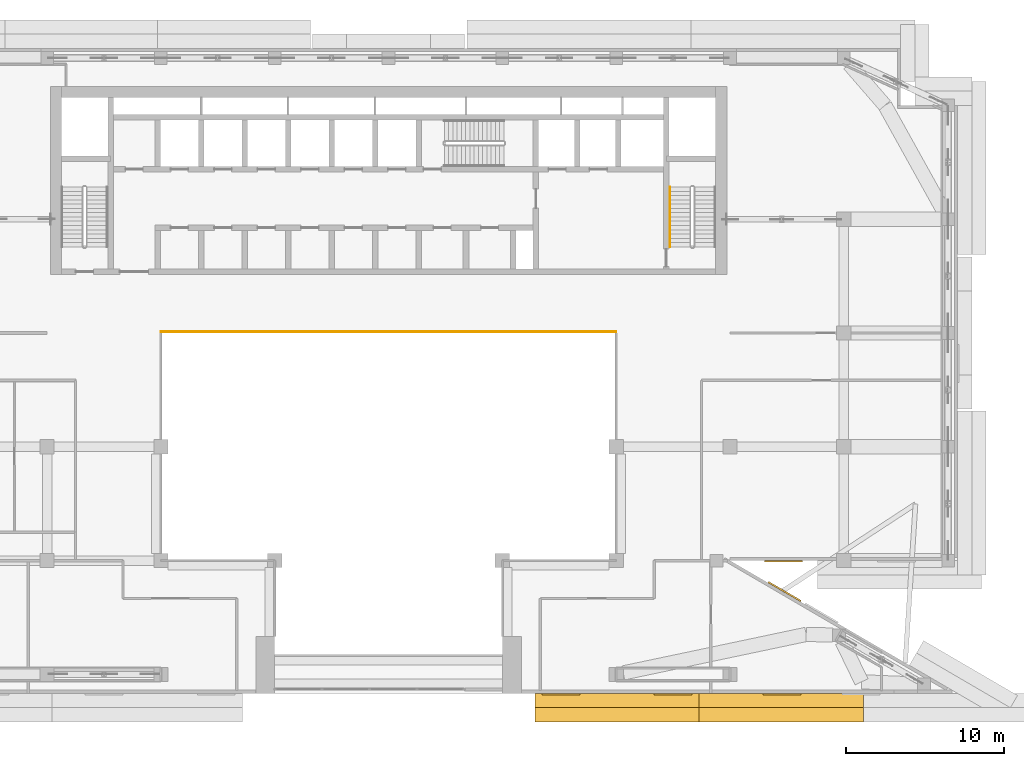
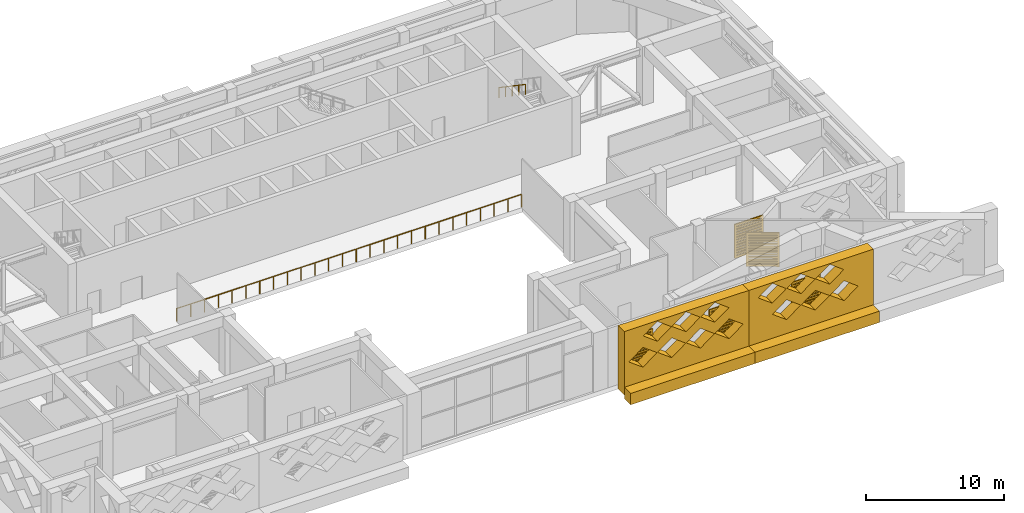
# One storey, part 16 of 20: 9 coverings, 2 railings.
"""IFC4 building model written with IfcOpenShell, lengths in metres."""

from ifc_helpers import new_model, si_unit, direction, frame, origin, origin_2d, place, context, subcontext, project, spatial, polyline, circle, outline, extrude, material, layer, layer_set, type_object, element, save


model = new_model("IFC4")

# Units and contexts
model_context = context("Model", 3, precision=1e-05, world=origin(), true_north=direction((0.0, 1.0)))
body_context = subcontext(model_context, "Body", "Model", "MODEL_VIEW")
ifc_project = project(units=[si_unit("LENGTHUNIT", "METRE"), si_unit("AREAUNIT", "SQUARE_METRE"), si_unit("VOLUMEUNIT", "CUBIC_METRE"), si_unit("PLANEANGLEUNIT", "RADIAN"), si_unit("MASSUNIT", "GRAM", prefix="KILO")], contexts=[model_context])

# Site, building, storey
site_placement = place(None, origin())
site = spatial("IfcSite", under=ifc_project, at=site_placement, CompositionType="ELEMENT")
building_placement = place(site_placement, origin())
building = spatial("IfcBuilding", under=site, at=building_placement, Name="Saffron Iwan Residences", CompositionType="ELEMENT")
storey_placement = place(building_placement, frame((0.0, 0.0, 206.0)))
storey = spatial("IfcBuildingStorey", under=building, at=storey_placement, Name="L55", CompositionType="ELEMENT", Elevation=206.0)

# Railing
ifc_material_1 = material(Name="Stainless steel 316", Category="steel")
railing_type_1 = type_object("IfcRailingType", Name="Atrium guard 1150", PredefinedType="GUARDRAIL", material=ifc_material_1)
railing_1_placement = place(storey_placement, frame((36.0, 62.47509765625, 0.0)))
element("IfcRailing", 1, at=railing_1_placement, inside=storey, type_object=railing_type_1, Name="Atrium guard L55", PredefinedType="GUARDRAIL", context=body_context, shape_type="SweptSolid", body=[
    extrude(circle(Radius=0.02392578125, at=origin_2d()), frame((0.0, 0.0, 1.1259765625), z_axis=(1.0, 0.0, 0.0), x_axis=(0.0, 1.0, 0.0)), (0.0, 0.0, 1.0), 28.800048828125),
    extrude(circle(Radius=0.02099609375, at=origin_2d()), origin(), (0.0, 0.0, 1.0), 1.101806640625),
    extrude(circle(Radius=0.02099609375, at=origin_2d()), frame((1.152099609375, 0.0, 0.0)), (0.0, 0.0, 1.0), 1.101806640625),
    extrude(circle(Radius=0.02099609375, at=origin_2d()), frame((2.303955078125, 0.0, 0.0)), (0.0, 0.0, 1.0), 1.101806640625),
    extrude(circle(Radius=0.02099609375, at=origin_2d()), frame((3.4560546875, 0.0, 0.0)), (0.0, 0.0, 1.0), 1.101806640625),
    extrude(circle(Radius=0.02099609375, at=origin_2d()), frame((4.60791015625, 0.0, 0.0)), (0.0, 0.0, 1.0), 1.101806640625),
    extrude(circle(Radius=0.02099609375, at=origin_2d()), frame((5.760009765625, 0.0, 0.0)), (0.0, 0.0, 1.0), 1.101806640625),
    extrude(circle(Radius=0.02099609375, at=origin_2d()), frame((6.912109375, 0.0, 0.0)), (0.0, 0.0, 1.0), 1.101806640625),
    extrude(circle(Radius=0.02099609375, at=origin_2d()), frame((8.06396484375, 0.0, 0.0)), (0.0, 0.0, 1.0), 1.101806640625),
    extrude(circle(Radius=0.02099609375, at=origin_2d()), frame((9.216064453125, 0.0, 0.0)), (0.0, 0.0, 1.0), 1.101806640625),
    extrude(circle(Radius=0.02099609375, at=origin_2d()), frame((10.367919921875, 0.0, 0.0)), (0.0, 0.0, 1.0), 1.101806640625),
    extrude(circle(Radius=0.02099609375, at=origin_2d()), frame((11.52001953125, 0.0, 0.0)), (0.0, 0.0, 1.0), 1.101806640625),
    extrude(circle(Radius=0.02099609375, at=origin_2d()), frame((12.672119140625, 0.0, 0.0)), (0.0, 0.0, 1.0), 1.101806640625),
    extrude(circle(Radius=0.02099609375, at=origin_2d()), frame((13.823974609375, 0.0, 0.0)), (0.0, 0.0, 1.0), 1.101806640625),
    extrude(circle(Radius=0.02099609375, at=origin_2d()), frame((14.97607421875, 0.0, 0.0)), (0.0, 0.0, 1.0), 1.101806640625),
    extrude(circle(Radius=0.02099609375, at=origin_2d()), frame((16.1279296875, 0.0, 0.0)), (0.0, 0.0, 1.0), 1.101806640625),
    extrude(circle(Radius=0.02099609375, at=origin_2d()), frame((17.280029296875, 0.0, 0.0)), (0.0, 0.0, 1.0), 1.101806640625),
    extrude(circle(Radius=0.02099609375, at=origin_2d()), frame((18.43212890625, 0.0, 0.0)), (0.0, 0.0, 1.0), 1.101806640625),
    extrude(circle(Radius=0.02099609375, at=origin_2d()), frame((19.583984375, 0.0, 0.0)), (0.0, 0.0, 1.0), 1.101806640625),
    extrude(circle(Radius=0.02099609375, at=origin_2d()), frame((20.736083984375, 0.0, 0.0)), (0.0, 0.0, 1.0), 1.101806640625),
    extrude(circle(Radius=0.02099609375, at=origin_2d()), frame((21.887939453125, 0.0, 0.0)), (0.0, 0.0, 1.0), 1.101806640625),
    extrude(circle(Radius=0.02099609375, at=origin_2d()), frame((23.0400390625, 0.0, 0.0)), (0.0, 0.0, 1.0), 1.101806640625),
    extrude(circle(Radius=0.02099609375, at=origin_2d()), frame((24.192138671875, 0.0, 0.0)), (0.0, 0.0, 1.0), 1.101806640625),
    extrude(circle(Radius=0.02099609375, at=origin_2d()), frame((25.343994140625, 0.0, 0.0)), (0.0, 0.0, 1.0), 1.101806640625),
    extrude(circle(Radius=0.02099609375, at=origin_2d()), frame((26.49609375, 0.0, 0.0)), (0.0, 0.0, 1.0), 1.101806640625),
    extrude(circle(Radius=0.02099609375, at=origin_2d()), frame((27.64794921875, 0.0, 0.0)), (0.0, 0.0, 1.0), 1.101806640625),
    extrude(circle(Radius=0.02099609375, at=origin_2d()), frame((28.800048828125, 0.0, 0.0)), (0.0, 0.0, 1.0), 1.101806640625),
])

# Coverings
ifc_material_2 = material(Name="Precast concrete C40/50", Category="concrete")
covering_type_1 = type_object("IfcCoveringType", Name="OUTER SKIN LATTICE SCREEN", PredefinedType="CLADDING", material=ifc_material_2)
covering_1_placement = place(storey_placement, frame((59.64990234375, 39.60009765625, -0.39990234375), z_axis=(0.0, -1.0, 0.0), x_axis=(1.0, 0.0, 0.0)))
element("IfcCovering", 2, at=covering_1_placement, inside=storey, type_object=covering_type_1, Name="OUTER SKIN lattice screen L55 F11.2", PredefinedType="CLADDING", context=body_context, shape_type="SweptSolid", body=[
    extrude(outline(polyline([(0.0, 0.0), (10.396240234375, 0.0), (10.396240234375, 5.6201171875), (0.0, 5.6201171875), (0.0, 0.0)]), holes=[polyline([(0.3701171875, 2.81005859375), (1.550048828125, 1.933349609375), (2.72998046875, 2.81005859375), (1.550048828125, 3.686767578125), (0.3701171875, 2.81005859375)]), polyline([(2.77001953125, 2.81005859375), (3.949951171875, 1.933349609375), (5.1298828125, 2.81005859375), (3.949951171875, 3.686767578125), (2.77001953125, 2.81005859375)]), polyline([(5.169921875, 2.81005859375), (6.35009765625, 1.933349609375), (7.530029296875, 2.81005859375), (6.35009765625, 3.686767578125), (5.169921875, 2.81005859375)]), polyline([(7.570068359375, 2.81005859375), (8.75, 1.933349609375), (9.929931640625, 2.81005859375), (8.75, 3.686767578125), (7.570068359375, 2.81005859375)]), polyline([(1.570068359375, 4.683349609375), (2.75, 3.806640625), (3.929931640625, 4.683349609375), (2.75, 5.56005859375), (1.570068359375, 4.683349609375)]), polyline([(3.969970703125, 4.683349609375), (5.14990234375, 3.806640625), (6.330078125, 4.683349609375), (5.14990234375, 5.56005859375), (3.969970703125, 4.683349609375)]), polyline([(6.3701171875, 4.683349609375), (7.550048828125, 3.806640625), (8.72998046875, 4.683349609375), (7.550048828125, 5.56005859375), (6.3701171875, 4.683349609375)])]), origin(), (0.0, 0.0, 1.0), 0.900146484375),
])
covering_2_placement = place(storey_placement, frame((70.046142578125, 39.60009765625, -0.39990234375), z_axis=(0.0, -1.0, 0.0), x_axis=(1.0, 0.0, 0.0)))
element("IfcCovering", 3, at=covering_2_placement, inside=storey, type_object=covering_type_1, Name="OUTER SKIN lattice screen L55 F11.3", PredefinedType="CLADDING", context=body_context, shape_type="SweptSolid", body=[
    extrude(outline(polyline([(0.0, 0.0), (10.396240234375, 0.0), (10.396240234375, 5.6201171875), (0.0, 5.6201171875), (0.0, 0.0)]), holes=[polyline([(1.973876953125, 2.81005859375), (3.15380859375, 1.933349609375), (4.333740234375, 2.81005859375), (3.15380859375, 3.686767578125), (1.973876953125, 2.81005859375)]), polyline([(4.373779296875, 2.81005859375), (5.5537109375, 1.933349609375), (6.73388671875, 2.81005859375), (5.5537109375, 3.686767578125), (4.373779296875, 2.81005859375)]), polyline([(6.773681640625, 2.81005859375), (7.953857421875, 1.933349609375), (9.1337890625, 2.81005859375), (7.953857421875, 3.686767578125), (6.773681640625, 2.81005859375)]), polyline([(0.773681640625, 4.683349609375), (1.953857421875, 3.806640625), (3.1337890625, 4.683349609375), (1.953857421875, 5.56005859375), (0.773681640625, 4.683349609375)]), polyline([(3.173828125, 4.683349609375), (4.353759765625, 3.806640625), (5.53369140625, 4.683349609375), (4.353759765625, 5.56005859375), (3.173828125, 4.683349609375)]), polyline([(5.57373046875, 4.683349609375), (6.75390625, 3.806640625), (7.933837890625, 4.683349609375), (6.75390625, 5.56005859375), (5.57373046875, 4.683349609375)])]), origin(), (0.0, 0.0, 1.0), 0.900146484375),
])
ifc_material_3 = material(Name="Aluminium 6063-T6 louvre", Category="aluminium")
covering_type_2 = type_object("IfcCoveringType", Name="PLANT LOUVRE PANEL 2400 x 3000", PredefinedType="CLADDING", material=ifc_material_3)
covering_3_placement = place(storey_placement, frame((76.4638671875, 45.39599609375, 1.0), z_axis=(0.502959906984, 0.86430974307, 0.0), x_axis=(-0.86430974307, 0.502959906984, 0.0)))
element("IfcCovering", 4, at=covering_3_placement, inside=storey, type_object=covering_type_2, Name="Plant louvre L55 F0.1", PredefinedType="CLADDING", context=body_context, shape_type="SweptSolid", body=[
    extrude(outline(polyline([(0.0, 0.0), (2.39990234375, 0.0), (2.39990234375, 3.0), (0.0, 3.0), (0.0, 0.0)]), holes=[polyline([(0.14990234375, 0.199951171875), (2.25, 0.199951171875), (2.25, 0.2900390625), (0.14990234375, 0.2900390625), (0.14990234375, 0.199951171875)]), polyline([(0.14990234375, 0.429931640625), (2.25, 0.429931640625), (2.25, 0.52001953125), (0.14990234375, 0.52001953125), (0.14990234375, 0.429931640625)]), polyline([(0.14990234375, 0.659912109375), (2.25, 0.659912109375), (2.25, 0.75), (0.14990234375, 0.75), (0.14990234375, 0.659912109375)]), polyline([(0.14990234375, 0.889892578125), (2.25, 0.889892578125), (2.25, 0.97998046875), (0.14990234375, 0.97998046875), (0.14990234375, 0.889892578125)]), polyline([(0.14990234375, 1.1201171875), (2.25, 1.1201171875), (2.25, 1.2099609375), (0.14990234375, 1.2099609375), (0.14990234375, 1.1201171875)]), polyline([(0.14990234375, 1.35009765625), (2.25, 1.35009765625), (2.25, 1.43994140625), (0.14990234375, 1.43994140625), (0.14990234375, 1.35009765625)]), polyline([(0.14990234375, 1.580078125), (2.25, 1.580078125), (2.25, 1.669921875), (0.14990234375, 1.669921875), (0.14990234375, 1.580078125)]), polyline([(0.14990234375, 1.81005859375), (2.25, 1.81005859375), (2.25, 1.89990234375), (0.14990234375, 1.89990234375), (0.14990234375, 1.81005859375)]), polyline([(0.14990234375, 2.0400390625), (2.25, 2.0400390625), (2.25, 2.1298828125), (0.14990234375, 2.1298828125), (0.14990234375, 2.0400390625)]), polyline([(0.14990234375, 2.27001953125), (2.25, 2.27001953125), (2.25, 2.360107421875), (0.14990234375, 2.360107421875), (0.14990234375, 2.27001953125)]), polyline([(0.14990234375, 2.5), (2.25, 2.5), (2.25, 2.590087890625), (0.14990234375, 2.590087890625), (0.14990234375, 2.5)]), polyline([(0.14990234375, 2.72998046875), (2.25, 2.72998046875), (2.25, 2.820068359375), (0.14990234375, 2.820068359375), (0.14990234375, 2.72998046875)])]), origin(), (0.0, 0.0, 1.0), 0.10009765625),
])
covering_4_placement = place(storey_placement, frame((74.175048828125, 48.0, 1.0), z_axis=(0.0, -1.0, 0.0), x_axis=(1.0, 0.0, 0.0)))
element("IfcCovering", 5, at=covering_4_placement, inside=storey, type_object=covering_type_2, Name="Plant louvre L55 F1.0", PredefinedType="CLADDING", context=body_context, shape_type="SweptSolid", body=[
    extrude(outline(polyline([(0.0, 0.0), (2.39990234375, 0.0), (2.39990234375, 3.0), (0.0, 3.0), (0.0, 0.0)]), holes=[polyline([(0.14990234375, 0.199951171875), (2.25, 0.199951171875), (2.25, 0.2900390625), (0.14990234375, 0.2900390625), (0.14990234375, 0.199951171875)]), polyline([(0.14990234375, 0.429931640625), (2.25, 0.429931640625), (2.25, 0.52001953125), (0.14990234375, 0.52001953125), (0.14990234375, 0.429931640625)]), polyline([(0.14990234375, 0.659912109375), (2.25, 0.659912109375), (2.25, 0.75), (0.14990234375, 0.75), (0.14990234375, 0.659912109375)]), polyline([(0.14990234375, 0.889892578125), (2.25, 0.889892578125), (2.25, 0.97998046875), (0.14990234375, 0.97998046875), (0.14990234375, 0.889892578125)]), polyline([(0.14990234375, 1.1201171875), (2.25, 1.1201171875), (2.25, 1.2099609375), (0.14990234375, 1.2099609375), (0.14990234375, 1.1201171875)]), polyline([(0.14990234375, 1.35009765625), (2.25, 1.35009765625), (2.25, 1.43994140625), (0.14990234375, 1.43994140625), (0.14990234375, 1.35009765625)]), polyline([(0.14990234375, 1.580078125), (2.25, 1.580078125), (2.25, 1.669921875), (0.14990234375, 1.669921875), (0.14990234375, 1.580078125)]), polyline([(0.14990234375, 1.81005859375), (2.25, 1.81005859375), (2.25, 1.89990234375), (0.14990234375, 1.89990234375), (0.14990234375, 1.81005859375)]), polyline([(0.14990234375, 2.0400390625), (2.25, 2.0400390625), (2.25, 2.1298828125), (0.14990234375, 2.1298828125), (0.14990234375, 2.0400390625)]), polyline([(0.14990234375, 2.27001953125), (2.25, 2.27001953125), (2.25, 2.360107421875), (0.14990234375, 2.360107421875), (0.14990234375, 2.27001953125)]), polyline([(0.14990234375, 2.5), (2.25, 2.5), (2.25, 2.590087890625), (0.14990234375, 2.590087890625), (0.14990234375, 2.5)]), polyline([(0.14990234375, 2.72998046875), (2.25, 2.72998046875), (2.25, 2.820068359375), (0.14990234375, 2.820068359375), (0.14990234375, 2.72998046875)])]), origin(), (0.0, 0.0, 1.0), 0.10009765625),
])
covering_5_placement = place(storey_placement, frame((60.10009765625, 39.60009765625, 1.0), z_axis=(0.0, -1.0, 0.0), x_axis=(1.0, 0.0, 0.0)))
element("IfcCovering", 6, at=covering_5_placement, inside=storey, type_object=covering_type_2, Name="Plant louvre L55 F11.0", PredefinedType="CLADDING", context=body_context, shape_type="SweptSolid", body=[
    extrude(outline(polyline([(0.0, 0.0), (2.39990234375, 0.0), (2.39990234375, 3.0), (0.0, 3.0), (0.0, 0.0)]), holes=[polyline([(0.14990234375, 0.199951171875), (2.25, 0.199951171875), (2.25, 0.2900390625), (0.14990234375, 0.2900390625), (0.14990234375, 0.199951171875)]), polyline([(0.14990234375, 0.429931640625), (2.25, 0.429931640625), (2.25, 0.52001953125), (0.14990234375, 0.52001953125), (0.14990234375, 0.429931640625)]), polyline([(0.14990234375, 0.659912109375), (2.25, 0.659912109375), (2.25, 0.75), (0.14990234375, 0.75), (0.14990234375, 0.659912109375)]), polyline([(0.14990234375, 0.889892578125), (2.25, 0.889892578125), (2.25, 0.97998046875), (0.14990234375, 0.97998046875), (0.14990234375, 0.889892578125)]), polyline([(0.14990234375, 1.1201171875), (2.25, 1.1201171875), (2.25, 1.2099609375), (0.14990234375, 1.2099609375), (0.14990234375, 1.1201171875)]), polyline([(0.14990234375, 1.35009765625), (2.25, 1.35009765625), (2.25, 1.43994140625), (0.14990234375, 1.43994140625), (0.14990234375, 1.35009765625)]), polyline([(0.14990234375, 1.580078125), (2.25, 1.580078125), (2.25, 1.669921875), (0.14990234375, 1.669921875), (0.14990234375, 1.580078125)]), polyline([(0.14990234375, 1.81005859375), (2.25, 1.81005859375), (2.25, 1.89990234375), (0.14990234375, 1.89990234375), (0.14990234375, 1.81005859375)]), polyline([(0.14990234375, 2.0400390625), (2.25, 2.0400390625), (2.25, 2.1298828125), (0.14990234375, 2.1298828125), (0.14990234375, 2.0400390625)]), polyline([(0.14990234375, 2.27001953125), (2.25, 2.27001953125), (2.25, 2.360107421875), (0.14990234375, 2.360107421875), (0.14990234375, 2.27001953125)]), polyline([(0.14990234375, 2.5), (2.25, 2.5), (2.25, 2.590087890625), (0.14990234375, 2.590087890625), (0.14990234375, 2.5)]), polyline([(0.14990234375, 2.72998046875), (2.25, 2.72998046875), (2.25, 2.820068359375), (0.14990234375, 2.820068359375), (0.14990234375, 2.72998046875)])]), origin(), (0.0, 0.0, 1.0), 0.10009765625),
])
covering_6_placement = place(storey_placement, frame((67.199951171875, 39.60009765625, 1.0), z_axis=(0.0, -1.0, 0.0), x_axis=(1.0, 0.0, 0.0)))
element("IfcCovering", 7, at=covering_6_placement, inside=storey, type_object=covering_type_2, Name="Plant louvre L55 F11.1", PredefinedType="CLADDING", context=body_context, shape_type="SweptSolid", body=[
    extrude(outline(polyline([(0.0, 0.0), (2.39990234375, 0.0), (2.39990234375, 3.0), (0.0, 3.0), (0.0, 0.0)]), holes=[polyline([(0.14990234375, 0.199951171875), (2.25, 0.199951171875), (2.25, 0.2900390625), (0.14990234375, 0.2900390625), (0.14990234375, 0.199951171875)]), polyline([(0.14990234375, 0.429931640625), (2.25, 0.429931640625), (2.25, 0.52001953125), (0.14990234375, 0.52001953125), (0.14990234375, 0.429931640625)]), polyline([(0.14990234375, 0.659912109375), (2.25, 0.659912109375), (2.25, 0.75), (0.14990234375, 0.75), (0.14990234375, 0.659912109375)]), polyline([(0.14990234375, 0.889892578125), (2.25, 0.889892578125), (2.25, 0.97998046875), (0.14990234375, 0.97998046875), (0.14990234375, 0.889892578125)]), polyline([(0.14990234375, 1.1201171875), (2.25, 1.1201171875), (2.25, 1.2099609375), (0.14990234375, 1.2099609375), (0.14990234375, 1.1201171875)]), polyline([(0.14990234375, 1.35009765625), (2.25, 1.35009765625), (2.25, 1.43994140625), (0.14990234375, 1.43994140625), (0.14990234375, 1.35009765625)]), polyline([(0.14990234375, 1.580078125), (2.25, 1.580078125), (2.25, 1.669921875), (0.14990234375, 1.669921875), (0.14990234375, 1.580078125)]), polyline([(0.14990234375, 1.81005859375), (2.25, 1.81005859375), (2.25, 1.89990234375), (0.14990234375, 1.89990234375), (0.14990234375, 1.81005859375)]), polyline([(0.14990234375, 2.0400390625), (2.25, 2.0400390625), (2.25, 2.1298828125), (0.14990234375, 2.1298828125), (0.14990234375, 2.0400390625)]), polyline([(0.14990234375, 2.27001953125), (2.25, 2.27001953125), (2.25, 2.360107421875), (0.14990234375, 2.360107421875), (0.14990234375, 2.27001953125)]), polyline([(0.14990234375, 2.5), (2.25, 2.5), (2.25, 2.590087890625), (0.14990234375, 2.590087890625), (0.14990234375, 2.5)]), polyline([(0.14990234375, 2.72998046875), (2.25, 2.72998046875), (2.25, 2.820068359375), (0.14990234375, 2.820068359375), (0.14990234375, 2.72998046875)])]), origin(), (0.0, 0.0, 1.0), 0.10009765625),
])
covering_7_placement = place(storey_placement, frame((74.093994140625, 39.60009765625, 1.0), z_axis=(0.0, -1.0, 0.0), x_axis=(1.0, 0.0, 0.0)))
element("IfcCovering", 8, at=covering_7_placement, inside=storey, type_object=covering_type_2, Name="Plant louvre L55 F11.2", PredefinedType="CLADDING", context=body_context, shape_type="SweptSolid", body=[
    extrude(outline(polyline([(0.0, 0.0), (2.39990234375, 0.0), (2.39990234375, 3.0), (0.0, 3.0), (0.0, 0.0)]), holes=[polyline([(0.14990234375, 0.199951171875), (2.25, 0.199951171875), (2.25, 0.2900390625), (0.14990234375, 0.2900390625), (0.14990234375, 0.199951171875)]), polyline([(0.14990234375, 0.429931640625), (2.25, 0.429931640625), (2.25, 0.52001953125), (0.14990234375, 0.52001953125), (0.14990234375, 0.429931640625)]), polyline([(0.14990234375, 0.659912109375), (2.25, 0.659912109375), (2.25, 0.75), (0.14990234375, 0.75), (0.14990234375, 0.659912109375)]), polyline([(0.14990234375, 0.889892578125), (2.25, 0.889892578125), (2.25, 0.97998046875), (0.14990234375, 0.97998046875), (0.14990234375, 0.889892578125)]), polyline([(0.14990234375, 1.1201171875), (2.25, 1.1201171875), (2.25, 1.2099609375), (0.14990234375, 1.2099609375), (0.14990234375, 1.1201171875)]), polyline([(0.14990234375, 1.35009765625), (2.25, 1.35009765625), (2.25, 1.43994140625), (0.14990234375, 1.43994140625), (0.14990234375, 1.35009765625)]), polyline([(0.14990234375, 1.580078125), (2.25, 1.580078125), (2.25, 1.669921875), (0.14990234375, 1.669921875), (0.14990234375, 1.580078125)]), polyline([(0.14990234375, 1.81005859375), (2.25, 1.81005859375), (2.25, 1.89990234375), (0.14990234375, 1.89990234375), (0.14990234375, 1.81005859375)]), polyline([(0.14990234375, 2.0400390625), (2.25, 2.0400390625), (2.25, 2.1298828125), (0.14990234375, 2.1298828125), (0.14990234375, 2.0400390625)]), polyline([(0.14990234375, 2.27001953125), (2.25, 2.27001953125), (2.25, 2.360107421875), (0.14990234375, 2.360107421875), (0.14990234375, 2.27001953125)]), polyline([(0.14990234375, 2.5), (2.25, 2.5), (2.25, 2.590087890625), (0.14990234375, 2.590087890625), (0.14990234375, 2.5)]), polyline([(0.14990234375, 2.72998046875), (2.25, 2.72998046875), (2.25, 2.820068359375), (0.14990234375, 2.820068359375), (0.14990234375, 2.72998046875)])]), origin(), (0.0, 0.0, 1.0), 0.10009765625),
])

# Railing
railing_type_2 = type_object("IfcRailingType", Name="Stair handrail 900", PredefinedType="HANDRAIL", material=ifc_material_1)
railing_2_placement = place(storey_placement, frame((68.199951171875, 71.6298828125, 2.933349609375)))
element("IfcRailing", 9, at=railing_2_placement, inside=storey, type_object=railing_type_2, Name="L55 ST-E stair handrail 2", PredefinedType="HANDRAIL", context=body_context, shape_type="SweptSolid", body=[
    extrude(circle(Radius=0.02392578125, at=origin_2d()), frame((0.0, 0.0, 0.8759765625), z_axis=(0.0, -0.827293068839, 0.56177057439), x_axis=(1.0, 0.0, 0.0)), (0.0, 0.0, 1.0), 4.56884765625),
    extrude(circle(Radius=0.02099609375, at=origin_2d()), origin(), (0.0, 0.0, 1.0), 0.851806640625),
    extrude(circle(Radius=0.02099609375, at=origin_2d()), frame((0.0, -0.94482421875, 0.6416015625)), (0.0, 0.0, 1.0), 0.851806640625),
    extrude(circle(Radius=0.02099609375, at=origin_2d()), frame((0.0, -1.889892578125, 1.283203125)), (0.0, 0.0, 1.0), 0.851806640625),
    extrude(circle(Radius=0.02099609375, at=origin_2d()), frame((0.0, -2.8349609375, 1.925048828125)), (0.0, 0.0, 1.0), 0.851806640625),
    extrude(circle(Radius=0.02099609375, at=origin_2d()), frame((0.0, -3.77978515625, 2.566650390625)), (0.0, 0.0, 1.0), 0.851806640625),
])

# Coverings
ifc_material_4 = material(Name="Precast concrete C40/50 white painted", Category="concrete")
ifc_layer = layer(ifc_material_4, 0.89990234375)
ifc_layer_set = layer_set([ifc_layer], Name="Precast concrete C40/50 white painted")
covering_type_3 = type_object("IfcCoveringType", Name="WHITE EDGE BAND 900 x 1000", PredefinedType="CLADDING", material=ifc_layer_set)
covering_8_placement = place(storey_placement, frame((0.0, 0.0, -0.699951171875)))
element("IfcCovering", 10, at=covering_8_placement, inside=storey, type_object=covering_type_3, Name="White edge band L55 F11.2", PredefinedType="CLADDING", context=body_context, shape_type="SweptSolid", body=[
    extrude(outline(polyline([(59.64990234375, 37.800048828125), (70.046142578125, 37.800048828125), (70.046142578125, 38.699951171875), (59.64990234375, 38.699951171875), (59.64990234375, 37.800048828125)])), origin(), (0.0, 0.0, 1.0), 1.0),
])
covering_9_placement = place(storey_placement, frame((0.0, 0.0, -0.699951171875)))
element("IfcCovering", 11, at=covering_9_placement, inside=storey, type_object=covering_type_3, Name="White edge band L55 F11.3", PredefinedType="CLADDING", context=body_context, shape_type="SweptSolid", body=[
    extrude(outline(polyline([(70.046142578125, 37.800048828125), (80.4423828125, 37.800048828125), (80.4423828125, 38.699951171875), (70.046142578125, 38.699951171875), (70.046142578125, 37.800048828125)])), origin(), (0.0, 0.0, 1.0), 1.0),
])

save(model, "model.ifc")
